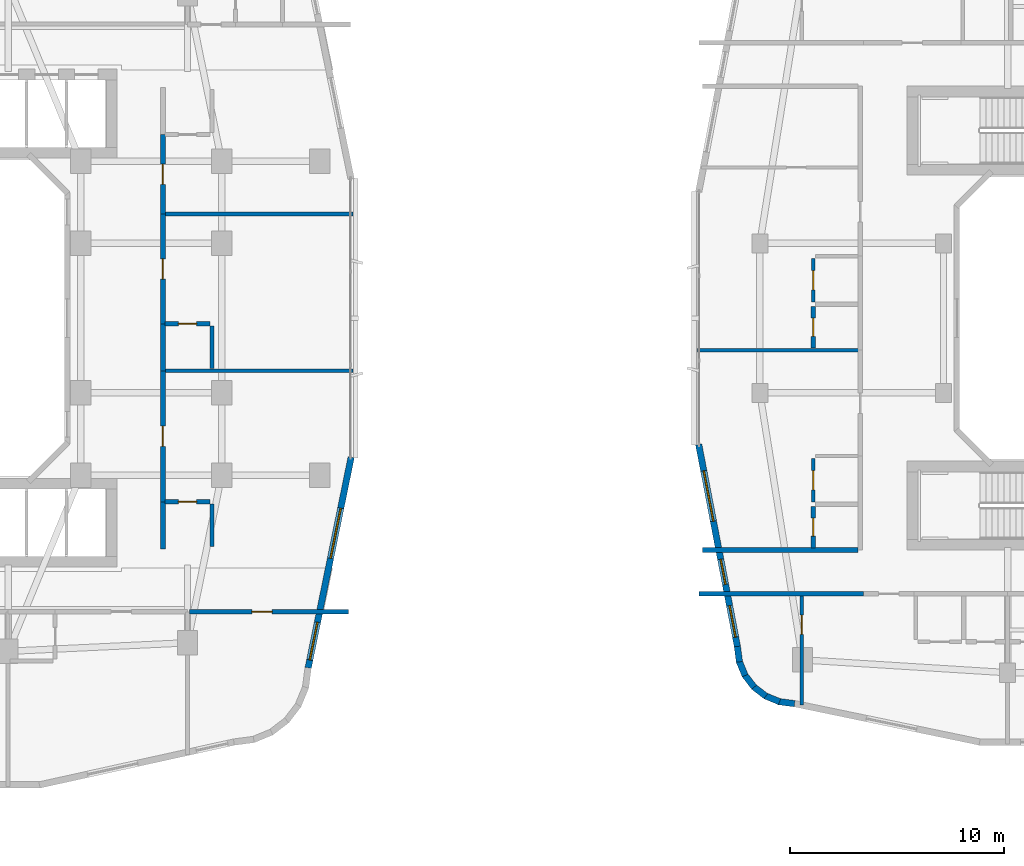
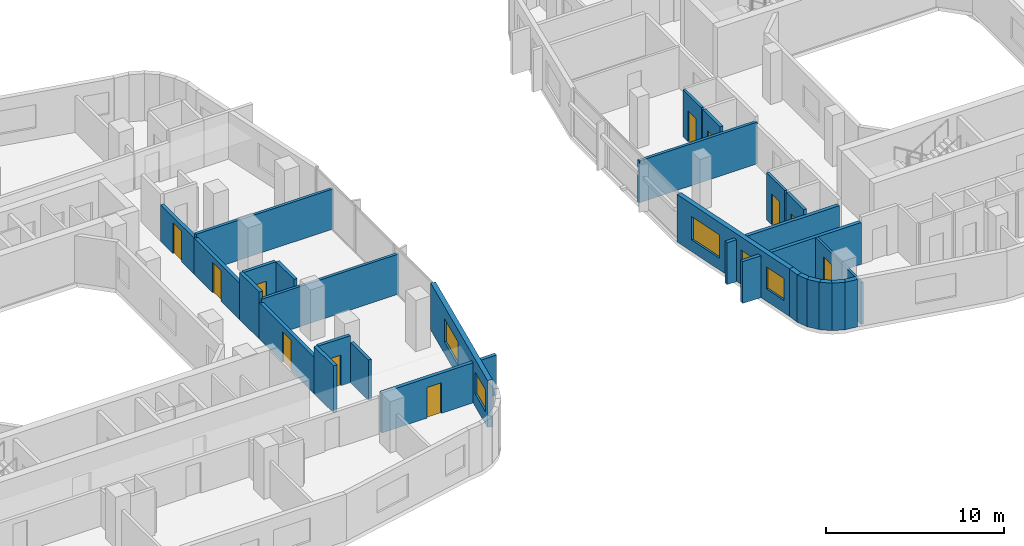
# One storey, part 10 of 22: 28 walls, 11 doors, 5 windows, 16 openings.
"""IFC4 building model written with IfcOpenShell, lengths in metres."""

from ifc_helpers import new_model, si_unit, derived_unit, direction, frame, frame_2d, origin, place, context, subcontext, project, spatial, rectangle, extrude, material, layer, layer_set, type_object, element, fill, save


model = new_model("IFC4")

# Units and contexts
model_context = context("Model", 3, precision=1e-05, world=origin(), true_north=direction((0.0, 1.0)))
body_context = subcontext(model_context, "Body", "Model", "MODEL_VIEW")
ifc_project = project(units=[si_unit("LENGTHUNIT", "METRE"), si_unit("AREAUNIT", "SQUARE_METRE"), si_unit("VOLUMEUNIT", "CUBIC_METRE"), si_unit("PLANEANGLEUNIT", "RADIAN"), si_unit("MASSUNIT", "GRAM", prefix="KILO"), derived_unit("THERMALTRANSMITTANCEUNIT", [(si_unit("POWERUNIT", "WATT"), 1), (si_unit("LENGTHUNIT", "METRE"), -2), (si_unit("THERMODYNAMICTEMPERATUREUNIT", "KELVIN"), -1)])], contexts=[model_context])

# Site, building, storey
site_placement = place(None, origin())
site = spatial("IfcSite", under=ifc_project, at=site_placement, CompositionType="ELEMENT")
building_placement = place(site_placement, origin())
building = spatial("IfcBuilding", under=site, at=building_placement, Name="Kivonza Crest Hotel", CompositionType="ELEMENT")
storey_placement = place(building_placement, frame((0.0, 0.0, 59.0)))
storey = spatial("IfcBuildingStorey", under=building, at=storey_placement, Name="L15", CompositionType="ELEMENT", Elevation=59.0)

# Walls
ifc_material_1 = material(Name="High-density acoustic masonry inter-tenancy wall", Category="masonry")
ifc_layer_1 = layer(ifc_material_1, 0.179931640625)
ifc_layer_set_1 = layer_set([ifc_layer_1], Name="High-density acoustic masonry inter-tenancy wall")
wall_type_1 = type_object("IfcWallType", Name="WL-ACOU-180", PredefinedType="SOLIDWALL", material=ifc_layer_set_1)
for number, where, z_axis, x_axis, name in (
    (1, (33.050048828125, 22.533935546875, 0.0), (0.0, 0.0, 1.0), (1.0, 0.0, 0.0), "L15 interior partition WA-L15-T1E-DIV1"),
    (2, (33.050048828125, 29.8779296875, 0.0), (0.0, 0.0, 1.0), (1.0, 0.0, 0.0), "L15 interior partition WA-L15-T1E-DIV2"),
):
    element("IfcWall", number, at=place(storey_placement, frame(where, z_axis=z_axis, x_axis=x_axis)), inside=storey, type_object=wall_type_1, Name=name, PredefinedType="SOLIDWALL", context=body_context, shape_type="SweptSolid", body=[
        extrude(rectangle(XDim=8.889892578125, YDim=0.179931640625, at=frame_2d((4.44482421875, 0.0))), origin(), (0.0, 0.0, 1.0), 2.7451171875),
    ])
wall_1_placement = place(storey_placement, frame((58.06005859375, 23.5, 0.0), z_axis=(0.0, 0.0, 1.0), x_axis=(1.0, 0.0, 0.0)))
element("IfcWall", 3, at=wall_1_placement, inside=storey, type_object=wall_type_1, Name="L15 interior partition WA-L15-T2W-DIV1", PredefinedType="SOLIDWALL", context=body_context, shape_type="SweptSolid", body=[
    extrude(rectangle(XDim=7.639892578125, YDim=0.179931640625, at=frame_2d((3.81982421875, 0.0))), origin(), (0.0, 0.0, 1.0), 2.864990234375),
])

# Wall, opening, door
ifc_material_2 = material(Name="Autoclaved aerated concrete blockwork", Category="masonry")
ifc_layer_2 = layer(ifc_material_2, 0.219970703125)
ifc_layer_set_2 = layer_set([ifc_layer_2], Name="Autoclaved aerated concrete blockwork")
wall_type_2 = type_object("IfcWallType", Name="WL-ACOU-220", PredefinedType="SOLIDWALL", material=ifc_layer_set_2)
wall_2_placement = place(storey_placement, frame((34.300048828125, 11.25, 0.0), z_axis=(0.0, 0.0, 1.0), x_axis=(1.0, 0.0, 0.0)))
wall_2 = element("IfcWall", 4, at=wall_2_placement, inside=storey, type_object=wall_type_2, Name="L15 interior partition WA-L15-BUS-MTG-N", PredefinedType="SOLIDWALL", context=body_context, shape_type="SweptSolid", body=[
    extrude(rectangle(XDim=7.43994140625, YDim=0.219970703125, at=frame_2d((3.719970703125, 0.0))), origin(), (0.0, 0.0, 1.0), 2.7451171875),
])
opening_1_placement = place(wall_2_placement, frame((2.910888671875, 0.0, 0.0)))
opening_1 = element("IfcOpeningElement", 5, at=opening_1_placement, cuts=wall_2, Name="Opening DF-60S", PredefinedType="OPENING", context=body_context, shape_type="SweptSolid", body=[
    extrude(rectangle(XDim=0.949951171875, YDim=2.10009765625, at=frame_2d((0.47509765625, 1.050048828125))), frame((0.0, 0.1201171875, 0.0), z_axis=(0.0, -1.0, 0.0), x_axis=(1.0, 0.0, 0.0)), (0.0, 0.0, 1.0), 0.239990234375),
])
ifc_material_3 = material(Name="Hardwood timber oak", Category="wood")
door_type_1 = type_object("IfcDoorType", Name="DR-FD60-950", OperationType="NOTDEFINED", PredefinedType="DOOR", material=ifc_material_3)
door_1_placement = place(opening_1_placement, frame((0.949951171875, 0.0, 0.0), z_axis=(0.0, 0.0, 1.0), x_axis=(-1.0, 0.0, 0.0)))
door_1 = element("IfcDoor", 6, at=door_1_placement, inside=storey, type_object=door_type_1, Name="L15 Executive Club Lounge door", OperationType="SINGLE_SWING_RIGHT", OverallHeight=2.10009765625, OverallWidth=0.949951171875, PredefinedType="DOOR", context=body_context, shape_type="SweptSolid", body=[
    extrude(rectangle(XDim=0.949951171875, YDim=2.10009765625, at=frame_2d((0.47509765625, 1.050048828125))), frame((0.0, 0.02490234375, 0.0), z_axis=(0.0, -1.0, 0.0), x_axis=(1.0, 0.0, 0.0)), (0.0, 0.0, 1.0), 0.050048828125),
])
fill(opening_1, door_1)

# Wall
wall_3_placement = place(storey_placement, frame((33.050048828125, 14.199951171875, 0.0), z_axis=(0.0, 0.0, 1.0), x_axis=(0.0, 1.0, 0.0)))
element("IfcWall", 7, at=wall_3_placement, inside=storey, type_object=wall_type_2, Name="L15 interior partition WA-L15-E08-BCORR", PredefinedType="SOLIDWALL", context=body_context, shape_type="SweptSolid", body=[
    extrude(rectangle(XDim=2.199951171875, YDim=0.219970703125, at=frame_2d((1.10009765625, 0.0))), origin(), (0.0, 0.0, 1.0), 3.219970703125),
])

# Wall, opening, door
wall_4_placement = place(storey_placement, frame((33.050048828125, 16.39990234375, 0.0), z_axis=(0.0, 0.0, 1.0), x_axis=(0.0, 1.0, 0.0)))
wall_4 = element("IfcWall", 8, at=wall_4_placement, inside=storey, type_object=wall_type_2, Name="L15 interior partition WA-L15-E08-MCORR", PredefinedType="SOLIDWALL", context=body_context, shape_type="SweptSolid", body=[
    extrude(rectangle(XDim=6.134033203125, YDim=0.219970703125, at=frame_2d((3.06689453125, 0.0))), origin(), (0.0, 0.0, 1.0), 2.4951171875),
])
opening_2_placement = place(wall_4_placement, frame((2.592041015625, 0.0, 0.0)))
opening_2 = element("IfcOpeningElement", 9, at=opening_2_placement, cuts=wall_4, Name="Opening DU-60", PredefinedType="OPENING", context=body_context, shape_type="SweptSolid", body=[
    extrude(rectangle(XDim=0.949951171875, YDim=2.10009765625, at=frame_2d((0.47509765625, 1.050048828125))), frame((0.0, 0.1201171875, 0.0), z_axis=(0.0, -1.0, 0.0), x_axis=(1.0, 0.0, 0.0)), (0.0, 0.0, 1.0), 0.239990234375),
])
door_type_2 = type_object("IfcDoorType", Name="DR-UNIT-950", OperationType="NOTDEFINED", PredefinedType="DOOR", material=ifc_material_3)
door_2_placement = place(opening_2_placement, frame((0.949951171875, 0.0, 0.0), z_axis=(0.0, 0.0, 1.0), x_axis=(-1.0, 0.0, 0.0)))
door_2 = element("IfcDoor", 10, at=door_2_placement, inside=storey, type_object=door_type_2, Name="L15 E08 guest unit entrance fire door", OperationType="SINGLE_SWING_RIGHT", OverallHeight=2.10009765625, OverallWidth=0.949951171875, PredefinedType="DOOR", context=body_context, shape_type="SweptSolid", body=[
    extrude(rectangle(XDim=0.949951171875, YDim=2.10009765625, at=frame_2d((0.47509765625, 1.050048828125))), frame((0.0, 0.02490234375, 0.0), z_axis=(0.0, -1.0, 0.0), x_axis=(1.0, 0.0, 0.0)), (0.0, 0.0, 1.0), 0.050048828125),
])
fill(opening_2, door_2)

# Wall
wall_5_placement = place(storey_placement, frame((33.050048828125, 22.533935546875, 0.0), z_axis=(0.0, 0.0, 1.0), x_axis=(0.0, 1.0, 0.0)))
element("IfcWall", 11, at=wall_5_placement, inside=storey, type_object=wall_type_2, Name="L15 interior partition WA-L15-E09-BCORR", PredefinedType="SOLIDWALL", context=body_context, shape_type="SweptSolid", body=[
    extrude(rectangle(XDim=2.199951171875, YDim=0.219970703125, at=frame_2d((1.10009765625, 0.0))), origin(), (0.0, 0.0, 1.0), 3.219970703125),
])

# Wall, opening, door
wall_6_placement = place(storey_placement, frame((33.050048828125, 24.73388671875, 0.0), z_axis=(0.0, 0.0, 1.0), x_axis=(0.0, 1.0, 0.0)))
wall_6 = element("IfcWall", 12, at=wall_6_placement, inside=storey, type_object=wall_type_2, Name="L15 interior partition WA-L15-E09-MCORR", PredefinedType="SOLIDWALL", context=body_context, shape_type="SweptSolid", body=[
    extrude(rectangle(XDim=5.14404296875, YDim=0.219970703125, at=frame_2d((2.572021484375, 0.0))), origin(), (0.0, 0.0, 1.0), 2.4951171875),
])
opening_3_placement = place(wall_6_placement, frame((2.096923828125, 0.0, 0.0)))
opening_3 = element("IfcOpeningElement", 13, at=opening_3_placement, cuts=wall_6, Name="Opening DU-60", PredefinedType="OPENING", context=body_context, shape_type="SweptSolid", body=[
    extrude(rectangle(XDim=0.949951171875, YDim=2.10009765625, at=frame_2d((0.47509765625, 1.050048828125))), frame((0.0, 0.1201171875, 0.0), z_axis=(0.0, -1.0, 0.0), x_axis=(1.0, 0.0, 0.0)), (0.0, 0.0, 1.0), 0.239990234375),
])
door_3_placement = place(opening_3_placement, frame((0.949951171875, 0.0, 0.0), z_axis=(0.0, 0.0, 1.0), x_axis=(-1.0, 0.0, 0.0)))
door_3 = element("IfcDoor", 14, at=door_3_placement, inside=storey, type_object=door_type_2, Name="L15 E09 guest unit entrance fire door", OperationType="SINGLE_SWING_LEFT", OverallHeight=2.10009765625, OverallWidth=0.949951171875, PredefinedType="DOOR", context=body_context, shape_type="SweptSolid", body=[
    extrude(rectangle(XDim=0.949951171875, YDim=2.10009765625, at=frame_2d((0.47509765625, 1.050048828125))), frame((0.0, 0.02490234375, 0.0), z_axis=(0.0, -1.0, 0.0), x_axis=(1.0, 0.0, 0.0)), (0.0, 0.0, 1.0), 0.050048828125),
])
fill(opening_3, door_3)

wall_7_placement = place(storey_placement, frame((33.050048828125, 29.8779296875, 0.0), z_axis=(0.0, 0.0, 1.0), x_axis=(0.0, 1.0, 0.0)))
wall_7 = element("IfcWall", 15, at=wall_7_placement, inside=storey, type_object=wall_type_2, Name="L15 interior partition WA-L15-E10-MCORR", PredefinedType="SOLIDWALL", context=body_context, shape_type="SweptSolid", body=[
    extrude(rectangle(XDim=3.72216796875, YDim=0.219970703125, at=frame_2d((1.861083984375, 0.0))), origin(), (0.0, 0.0, 1.0), 2.4951171875),
])
opening_4_placement = place(wall_7_placement, frame((1.385986328125, 0.0, 0.0)))
opening_4 = element("IfcOpeningElement", 16, at=opening_4_placement, cuts=wall_7, Name="Opening DU-60", PredefinedType="OPENING", context=body_context, shape_type="SweptSolid", body=[
    extrude(rectangle(XDim=0.949951171875, YDim=2.10009765625, at=frame_2d((0.47509765625, 1.050048828125))), frame((0.0, 0.1201171875, 0.0), z_axis=(0.0, -1.0, 0.0), x_axis=(1.0, 0.0, 0.0)), (0.0, 0.0, 1.0), 0.239990234375),
])
door_4_placement = place(opening_4_placement, frame((0.949951171875, 0.0, 0.0), z_axis=(0.0, 0.0, 1.0), x_axis=(-1.0, 0.0, 0.0)))
door_4 = element("IfcDoor", 17, at=door_4_placement, inside=storey, type_object=door_type_2, Name="L15 E10 guest unit entrance fire door", OperationType="SINGLE_SWING_RIGHT", OverallHeight=2.10009765625, OverallWidth=0.949951171875, PredefinedType="DOOR", context=body_context, shape_type="SweptSolid", body=[
    extrude(rectangle(XDim=0.949951171875, YDim=2.10009765625, at=frame_2d((0.47509765625, 1.050048828125))), frame((0.0, 0.02490234375, 0.0), z_axis=(0.0, -1.0, 0.0), x_axis=(1.0, 0.0, 0.0)), (0.0, 0.0, 1.0), 0.050048828125),
])
fill(opening_4, door_4)

# Walls
wall_8_placement = place(storey_placement, frame((58.159912109375, 12.10009765625, 0.0), z_axis=(0.0, 0.0, 1.0), x_axis=(1.0, 0.0, 0.0)))
element("IfcWall", 18, at=wall_8_placement, inside=storey, type_object=wall_type_2, Name="L15 interior partition WA-L15-A03-LCORR", PredefinedType="SOLIDWALL", context=body_context, shape_type="SweptSolid", body=[
    extrude(rectangle(XDim=7.690185546875, YDim=0.219970703125, at=frame_2d((3.84521484375, 0.0))), origin(), (0.0, 0.0, 1.0), 2.864990234375),
])
wall_9_placement = place(storey_placement, frame((58.320068359375, 14.139892578125, 0.0), z_axis=(0.0, 0.0, 1.0), x_axis=(1.0, 0.0, 0.0)))
element("IfcWall", 19, at=wall_9_placement, inside=storey, type_object=wall_type_2, Name="L15 interior partition WA-L15-T2W-ENDS", PredefinedType="SOLIDWALL", context=body_context, shape_type="SweptSolid", body=[
    extrude(rectangle(XDim=7.280029296875, YDim=0.219970703125, at=frame_2d((3.64013671875, 0.0))), origin(), (0.0, 0.0, 1.0), 2.864990234375),
])

# Wall, openings, windows
ifc_material_4 = material(Name="Precast concrete C40/50", Category="concrete")
ifc_layer_3 = layer(ifc_material_4, 0.300048828125)
ifc_layer_set_3 = layer_set([ifc_layer_3], Name="Precast concrete C40/50")
wall_type_3 = type_object("IfcWallType", Name="WL-EXT-300", PredefinedType="STANDARD", material=ifc_layer_set_3)
wall_10_placement = place(storey_placement, frame((39.85107421875, 8.6220703125, 0.0), z_axis=(0.0, 0.0, 1.0), x_axis=(0.199990901713, 0.979797754249, 0.0)))
wall_10 = element("IfcWall", 20, at=wall_10_placement, inside=storey, type_object=wall_type_3, Name="L15 T1 exterior insulated wall 16", PredefinedType="STANDARD", context=body_context, shape_type="SweptSolid", body=[
    extrude(rectangle(XDim=10.065185546875, YDim=0.300048828125, at=frame_2d((5.03271484375, 0.0))), origin(), (0.0, 0.0, 1.0), 3.219970703125),
])
opening_5_placement = place(wall_10_placement, frame((0.3779296875, 0.0, 0.85009765625)))
opening_5 = element("IfcOpeningElement", 21, at=opening_5_placement, cuts=wall_10, Name="Opening WN-03", PredefinedType="OPENING", context=body_context, shape_type="SweptSolid", body=[
    extrude(rectangle(XDim=1.800048828125, YDim=1.5, at=frame_2d((0.89990234375, 0.75))), frame((0.0, 0.16015625, 0.0), z_axis=(0.0, -1.0, 0.0), x_axis=(1.0, 0.0, 0.0)), (0.0, 0.0, 1.0), 0.320068359375),
])
opening_6_placement = place(wall_10_placement, frame((5.236083984375, 0.0, 0.800048828125)))
opening_6 = element("IfcOpeningElement", 22, at=opening_6_placement, cuts=wall_10, Name="Opening WN-05", PredefinedType="OPENING", context=body_context, shape_type="SweptSolid", body=[
    extrude(rectangle(XDim=2.39990234375, YDim=1.60009765625, at=frame_2d((1.199951171875, 0.800048828125))), frame((0.0, 0.16015625, 0.0), z_axis=(0.0, -1.0, 0.0), x_axis=(1.0, 0.0, 0.0)), (0.0, 0.0, 1.0), 0.320068359375),
])
ifc_material_5 = material(Name="Thermally broken bronze aluminium and low-E double glazing", Category="aluminium")
window_type_1 = type_object("IfcWindowType", Name="WN-180x150", PartitioningType="DOUBLE_PANEL_VERTICAL", PredefinedType="WINDOW", material=ifc_material_5)
window_1_placement = place(opening_5_placement, origin())
window_1 = element("IfcWindow", 23, at=window_1_placement, inside=storey, type_object=window_type_1, Name="L15 T1 facade window 16 bay 1", OverallHeight=1.5, OverallWidth=1.800048828125, PartitioningType="SINGLE_PANEL", PredefinedType="WINDOW", context=body_context, shape_type="SweptSolid", body=[
    extrude(rectangle(XDim=1.800048828125, YDim=1.5, at=frame_2d((0.89990234375, 0.75))), frame((0.0, 0.030029296875, 0.0), z_axis=(0.0, -1.0, 0.0), x_axis=(1.0, 0.0, 0.0)), (0.0, 0.0, 1.0), 0.06005859375),
])
fill(opening_5, window_1)
window_type_2 = type_object("IfcWindowType", Name="WN-240x160", PartitioningType="TRIPLE_PANEL_VERTICAL", PredefinedType="WINDOW", material=ifc_material_5)
window_2_placement = place(opening_6_placement, origin())
window_2 = element("IfcWindow", 24, at=window_2_placement, inside=storey, type_object=window_type_2, Name="L15 T1 facade window 16 bay 2", OverallHeight=1.60009765625, OverallWidth=2.39990234375, PartitioningType="SINGLE_PANEL", PredefinedType="WINDOW", context=body_context, shape_type="SweptSolid", body=[
    extrude(rectangle(XDim=2.39990234375, YDim=1.60009765625, at=frame_2d((1.199951171875, 0.800048828125))), frame((0.0, 0.030029296875, 0.0), z_axis=(0.0, -1.0, 0.0), x_axis=(1.0, 0.0, 0.0)), (0.0, 0.0, 1.0), 0.06005859375),
])
fill(opening_6, window_2)

# Walls
wall_11_placement = place(storey_placement, frame((59.947998046875, 9.626953125, 0.0), z_axis=(0.0, 0.0, 1.0), x_axis=(0.130255288807, -0.991480488834, 0.0)))
element("IfcWall", 25, at=wall_11_placement, inside=storey, type_object=wall_type_3, Name="L15 T2 exterior insulated wall 1", PredefinedType="STANDARD", context=body_context, shape_type="SweptSolid", body=[
    extrude(rectangle(XDim=0.72900390625, YDim=0.300048828125, at=frame_2d((0.364501953125, 0.0))), origin(), (0.0, 0.0, 1.0), 3.25),
])
for number, where, z_axis, x_axis, name in (
    (26, (60.02392578125, 8.955078125, 0.0), (0.0, 0.0, 1.0), (0.383546213491, -0.923521684703, 0.0), "L15 T2 exterior insulated wall 2"),
    (27, (60.279052734375, 8.31103515625, 0.0), (0.0, 0.0, 1.0), (0.608397189915, -0.79363269798, 0.0), "L15 T2 exterior insulated wall 3"),
    (28, (60.69091796875, 7.75390625, 0.0), (0.0, 0.0, 1.0), (0.79363269798, -0.608397189915, 0.0), "L15 T2 exterior insulated wall 4"),
    (29, (61.23388671875, 7.323974609375, 0.0), (0.0, 0.0, 1.0), (0.923685632463, -0.383151213466, 0.0), "L15 T2 exterior insulated wall 5"),
):
    element("IfcWall", number, at=place(storey_placement, frame(where, z_axis=z_axis, x_axis=x_axis)), inside=storey, type_object=wall_type_3, Name=name, PredefinedType="STANDARD", context=body_context, shape_type="SweptSolid", body=[
        extrude(rectangle(XDim=0.74609375, YDim=0.300048828125, at=frame_2d((0.373046875, 0.0))), origin(), (0.0, 0.0, 1.0), 3.25),
    ])
wall_12_placement = place(storey_placement, frame((61.868896484375, 7.047119140625, 0.0), z_axis=(0.0, 0.0, 1.0), x_axis=(0.991559404866, -0.129653178221, 0.0)))
element("IfcWall", 30, at=wall_12_placement, inside=storey, type_object=wall_type_3, Name="L15 T2 exterior insulated wall 6", PredefinedType="STANDARD", context=body_context, shape_type="SweptSolid", body=[
    extrude(rectangle(XDim=0.764404296875, YDim=0.300048828125, at=frame_2d((0.38232421875, 0.0))), origin(), (0.0, 0.0, 1.0), 3.25),
])

# Wall, openings, windows
wall_13_placement = place(storey_placement, frame((58.136962890625, 19.08203125, 0.0), z_axis=(0.0, 0.0, 1.0), x_axis=(0.188087874316, -0.982152203854, 0.0)))
wall_13 = element("IfcWall", 31, at=wall_13_placement, inside=storey, type_object=wall_type_3, Name="L15 T2 exterior insulated wall 36", PredefinedType="STANDARD", context=body_context, shape_type="SweptSolid", body=[
    extrude(rectangle(XDim=9.6337890625, YDim=0.300048828125, at=frame_2d((4.81689453125, 0.0))), origin(), (0.0, 0.0, 1.0), 3.25),
])
opening_7_placement = place(wall_13_placement, frame((1.2548828125, 0.0, 0.800048828125)))
opening_7 = element("IfcOpeningElement", 32, at=opening_7_placement, cuts=wall_13, Name="Opening WN-05", PredefinedType="OPENING", context=body_context, shape_type="SweptSolid", body=[
    extrude(rectangle(XDim=2.39990234375, YDim=1.60009765625, at=frame_2d((1.199951171875, 0.800048828125))), frame((0.0, 0.16015625, 0.0), z_axis=(0.0, -1.0, 0.0), x_axis=(1.0, 0.0, 0.0)), (0.0, 0.0, 1.0), 0.320068359375),
])
opening_8_placement = place(wall_13_placement, frame((5.469970703125, 0.0, 0.85009765625)))
opening_8 = element("IfcOpeningElement", 33, at=opening_8_placement, cuts=wall_13, Name="Opening WN-01", PredefinedType="OPENING", context=body_context, shape_type="SweptSolid", body=[
    extrude(rectangle(XDim=1.199951171875, YDim=1.5, at=frame_2d((0.60009765625, 0.75))), frame((0.0, 0.16015625, 0.0), z_axis=(0.0, -1.0, 0.0), x_axis=(1.0, 0.0, 0.0)), (0.0, 0.0, 1.0), 0.320068359375),
])
opening_9_placement = place(wall_13_placement, frame((7.681884765625, 0.0, 0.85009765625)))
opening_9 = element("IfcOpeningElement", 34, at=opening_9_placement, cuts=wall_13, Name="Opening WN-02", PredefinedType="OPENING", context=body_context, shape_type="SweptSolid", body=[
    extrude(rectangle(XDim=1.5, YDim=1.5, at=frame_2d((0.75, 0.75))), frame((0.0, 0.16015625, 0.0), z_axis=(0.0, -1.0, 0.0), x_axis=(1.0, 0.0, 0.0)), (0.0, 0.0, 1.0), 0.320068359375),
])
window_type_3 = type_object("IfcWindowType", Name="WN-120x150", PartitioningType="SINGLE_PANEL", PredefinedType="WINDOW", material=ifc_material_5)
window_3_placement = place(opening_8_placement, origin())
window_3 = element("IfcWindow", 35, at=window_3_placement, inside=storey, type_object=window_type_3, Name="L15 T2 facade window 36 bay 2", OverallHeight=1.5, OverallWidth=1.199951171875, PartitioningType="SINGLE_PANEL", PredefinedType="WINDOW", context=body_context, shape_type="SweptSolid", body=[
    extrude(rectangle(XDim=1.199951171875, YDim=1.5, at=frame_2d((0.60009765625, 0.75))), frame((0.0, 0.030029296875, 0.0), z_axis=(0.0, -1.0, 0.0), x_axis=(1.0, 0.0, 0.0)), (0.0, 0.0, 1.0), 0.06005859375),
])
fill(opening_8, window_3)
window_type_4 = type_object("IfcWindowType", Name="WN-150x150", PartitioningType="DOUBLE_PANEL_VERTICAL", PredefinedType="WINDOW", material=ifc_material_5)
window_4_placement = place(opening_9_placement, origin())
window_4 = element("IfcWindow", 36, at=window_4_placement, inside=storey, type_object=window_type_4, Name="L15 T2 facade window 36 bay 3", OverallHeight=1.5, OverallWidth=1.5, PartitioningType="SINGLE_PANEL", PredefinedType="WINDOW", context=body_context, shape_type="SweptSolid", body=[
    extrude(rectangle(XDim=1.5, YDim=1.5, at=frame_2d((0.75, 0.75))), frame((0.0, 0.030029296875, 0.0), z_axis=(0.0, -1.0, 0.0), x_axis=(1.0, 0.0, 0.0)), (0.0, 0.0, 1.0), 0.06005859375),
])
fill(opening_9, window_4)
window_5_placement = place(opening_7_placement, origin())
window_5 = element("IfcWindow", 37, at=window_5_placement, inside=storey, type_object=window_type_2, Name="L15 T2 facade window 36 bay 1", OverallHeight=1.60009765625, OverallWidth=2.39990234375, PartitioningType="SINGLE_PANEL", PredefinedType="WINDOW", context=body_context, shape_type="SweptSolid", body=[
    extrude(rectangle(XDim=2.39990234375, YDim=1.60009765625, at=frame_2d((1.199951171875, 0.800048828125))), frame((0.0, 0.030029296875, 0.0), z_axis=(0.0, -1.0, 0.0), x_axis=(1.0, 0.0, 0.0)), (0.0, 0.0, 1.0), 0.06005859375),
])
fill(opening_7, window_5)

# Wall, opening, door
ifc_material_6 = material(Name="Twin-stud acoustic gypsum board partition", Category="gypsum")
ifc_layer_4 = layer(ifc_material_6, 0.14990234375)
ifc_layer_set_4 = layer_set([ifc_layer_4], Name="Twin-stud acoustic gypsum board partition")
wall_type_4 = type_object("IfcWallType", Name="WL-PART-150", PredefinedType="PARTITIONING", material=ifc_layer_set_4)
wall_14_placement = place(storey_placement, frame((62.9599609375, 6.886962890625, 0.0), z_axis=(0.0, 0.0, 1.0), x_axis=(0.0, 1.0, 0.0)))
wall_14 = element("IfcWall", 38, at=wall_14_placement, inside=storey, type_object=wall_type_4, Name="L15 interior partition WP-L15-A03-BDW1", PredefinedType="PARTITIONING", context=body_context, shape_type="SweptSolid", body=[
    extrude(rectangle(XDim=5.113037109375, YDim=0.14990234375, at=frame_2d((2.556640625, 0.0))), origin(), (0.0, 0.0, 1.0), 2.864990234375),
])
opening_10_placement = place(wall_14_placement, frame((3.31005859375, 0.0, 0.0)))
opening_10 = element("IfcOpeningElement", 39, at=opening_10_placement, cuts=wall_14, Name="Opening DI-90", PredefinedType="OPENING", context=body_context, shape_type="SweptSolid", body=[
    extrude(rectangle(XDim=0.89990234375, YDim=2.10009765625, at=frame_2d((0.449951171875, 1.050048828125))), frame((0.0, 0.0849609375, 0.0), z_axis=(0.0, -1.0, 0.0), x_axis=(1.0, 0.0, 0.0)), (0.0, 0.0, 1.0), 0.169921875),
])
door_type_3 = type_object("IfcDoorType", Name="DR-INT-900", OperationType="NOTDEFINED", PredefinedType="DOOR", material=ifc_material_3)
door_5_placement = place(opening_10_placement, origin())
door_5 = element("IfcDoor", 40, at=door_5_placement, inside=storey, type_object=door_type_3, Name="L15 A03 bedroom 1 door", OperationType="SINGLE_SWING_RIGHT", OverallHeight=2.10009765625, OverallWidth=0.89990234375, PredefinedType="DOOR", context=body_context, shape_type="SweptSolid", body=[
    extrude(rectangle(XDim=0.89990234375, YDim=2.10009765625, at=frame_2d((0.449951171875, 1.050048828125))), frame((0.0, 0.02490234375, 0.0), z_axis=(0.0, -1.0, 0.0), x_axis=(1.0, 0.0, 0.0)), (0.0, 0.0, 1.0), 0.050048828125),
])
fill(opening_10, door_5)

wall_15_placement = place(storey_placement, frame((63.5, 16.389892578125, 0.0), z_axis=(0.0, 0.0, 1.0), x_axis=(0.0, 1.0, 0.0)))
wall_15 = element("IfcWall", 41, at=wall_15_placement, inside=storey, type_object=wall_type_4, Name="L15 interior partition WP-L15-A06-KSVC", PredefinedType="PARTITIONING", context=body_context, shape_type="SweptSolid", body=[
    extrude(rectangle(XDim=2.050048828125, YDim=0.14990234375, at=frame_2d((1.02490234375, 0.0))), origin(), (0.0, 0.0, 1.0), 3.219970703125),
])
opening_11_placement = place(wall_15_placement, frame((0.574951171875, 0.0, 0.0)))
opening_11 = element("IfcOpeningElement", 42, at=opening_11_placement, cuts=wall_15, Name="Opening DI-90", PredefinedType="OPENING", context=body_context, shape_type="SweptSolid", body=[
    extrude(rectangle(XDim=0.89990234375, YDim=2.10009765625, at=frame_2d((0.449951171875, 1.050048828125))), frame((0.0, 0.0849609375, 0.0), z_axis=(0.0, -1.0, 0.0), x_axis=(1.0, 0.0, 0.0)), (0.0, 0.0, 1.0), 0.169921875),
])
door_6_placement = place(opening_11_placement, origin())
door_6 = element("IfcDoor", 43, at=door_6_placement, inside=storey, type_object=door_type_3, Name="L15 A06 apartment kitchen door", OperationType="SINGLE_SWING_RIGHT", OverallHeight=2.10009765625, OverallWidth=0.89990234375, PredefinedType="DOOR", context=body_context, shape_type="SweptSolid", body=[
    extrude(rectangle(XDim=0.89990234375, YDim=2.10009765625, at=frame_2d((0.449951171875, 1.050048828125))), frame((0.0, 0.02490234375, 0.0), z_axis=(0.0, -1.0, 0.0), x_axis=(1.0, 0.0, 0.0)), (0.0, 0.0, 1.0), 0.050048828125),
])
fill(opening_11, door_6)

wall_16_placement = place(storey_placement, frame((63.5, 25.75, 0.0), z_axis=(0.0, 0.0, 1.0), x_axis=(0.0, 1.0, 0.0)))
wall_16 = element("IfcWall", 44, at=wall_16_placement, inside=storey, type_object=wall_type_4, Name="L15 interior partition WP-L15-A07-KSVC", PredefinedType="PARTITIONING", context=body_context, shape_type="SweptSolid", body=[
    extrude(rectangle(XDim=2.050048828125, YDim=0.14990234375, at=frame_2d((1.02490234375, 0.0))), origin(), (0.0, 0.0, 1.0), 3.219970703125),
])
opening_12_placement = place(wall_16_placement, frame((0.574951171875, 0.0, 0.0)))
opening_12 = element("IfcOpeningElement", 45, at=opening_12_placement, cuts=wall_16, Name="Opening DI-90", PredefinedType="OPENING", context=body_context, shape_type="SweptSolid", body=[
    extrude(rectangle(XDim=0.89990234375, YDim=2.10009765625, at=frame_2d((0.449951171875, 1.050048828125))), frame((0.0, 0.0849609375, 0.0), z_axis=(0.0, -1.0, 0.0), x_axis=(1.0, 0.0, 0.0)), (0.0, 0.0, 1.0), 0.169921875),
])
door_7_placement = place(opening_12_placement, origin())
door_7 = element("IfcDoor", 46, at=door_7_placement, inside=storey, type_object=door_type_3, Name="L15 A07 apartment kitchen door", OperationType="SINGLE_SWING_LEFT", OverallHeight=2.10009765625, OverallWidth=0.89990234375, PredefinedType="DOOR", context=body_context, shape_type="SweptSolid", body=[
    extrude(rectangle(XDim=0.89990234375, YDim=2.10009765625, at=frame_2d((0.449951171875, 1.050048828125))), frame((0.0, 0.02490234375, 0.0), z_axis=(0.0, -1.0, 0.0), x_axis=(1.0, 0.0, 0.0)), (0.0, 0.0, 1.0), 0.050048828125),
])
fill(opening_12, door_7)

ifc_material_7 = material(Name="Moisture-resistant plumbing chase partition wall", Category="gypsum")
ifc_layer_5 = layer(ifc_material_7, 0.199951171875)
ifc_layer_set_5 = layer_set([ifc_layer_5], Name="Moisture-resistant plumbing chase partition wall")
wall_type_5 = type_object("IfcWallType", Name="WL-PLUMB-200", PredefinedType="PLUMBINGWALL", material=ifc_layer_set_5)
wall_17_placement = place(storey_placement, frame((33.14990234375, 16.39990234375, 0.0), z_axis=(0.0, 0.0, 1.0), x_axis=(1.0, 0.0, 0.0)))
wall_17 = element("IfcWall", 47, at=wall_17_placement, inside=storey, type_object=wall_type_5, Name="L15 interior partition WW-L15-E08-BH", PredefinedType="PLUMBINGWALL", context=body_context, shape_type="SweptSolid", body=[
    extrude(rectangle(XDim=2.10009765625, YDim=0.199951171875, at=frame_2d((1.050048828125, 0.0))), origin(), (0.0, 0.0, 1.0), 3.219970703125),
])
opening_13_placement = place(wall_17_placement, frame((0.625, 0.0, 0.0)))
opening_13 = element("IfcOpeningElement", 48, at=opening_13_placement, cuts=wall_17, Name="Opening DI-85", PredefinedType="OPENING", context=body_context, shape_type="SweptSolid", body=[
    extrude(rectangle(XDim=0.85009765625, YDim=2.10009765625, at=frame_2d((0.425048828125, 1.050048828125))), frame((0.0, 0.10986328125, 0.0), z_axis=(0.0, -1.0, 0.0), x_axis=(1.0, 0.0, 0.0)), (0.0, 0.0, 1.0), 0.219970703125),
])
door_type_4 = type_object("IfcDoorType", Name="DR-INT-850", OperationType="NOTDEFINED", PredefinedType="DOOR", material=ifc_material_3)
door_8_placement = place(opening_13_placement, origin())
door_8 = element("IfcDoor", 49, at=door_8_placement, inside=storey, type_object=door_type_4, Name="L15 E08 en-suite bathroom door", OperationType="SINGLE_SWING_LEFT", OverallHeight=2.10009765625, OverallWidth=0.85009765625, PredefinedType="DOOR", context=body_context, shape_type="SweptSolid", body=[
    extrude(rectangle(XDim=0.85009765625, YDim=2.10009765625, at=frame_2d((0.425048828125, 1.050048828125))), frame((0.0, 0.02490234375, 0.0), z_axis=(0.0, -1.0, 0.0), x_axis=(1.0, 0.0, 0.0)), (0.0, 0.0, 1.0), 0.050048828125),
])
fill(opening_13, door_8)

# Wall
wall_18_placement = place(storey_placement, frame((35.35009765625, 14.300048828125, 0.0), z_axis=(0.0, 0.0, 1.0), x_axis=(0.0, 1.0, 0.0)))
element("IfcWall", 50, at=wall_18_placement, inside=storey, type_object=wall_type_5, Name="L15 interior partition WW-L15-E08-BV", PredefinedType="PLUMBINGWALL", context=body_context, shape_type="SweptSolid", body=[
    extrude(rectangle(XDim=2.0, YDim=0.199951171875, at=frame_2d((1.0, 0.0))), origin(), (0.0, 0.0, 1.0), 2.7451171875),
])

# Wall, opening, door
wall_19_placement = place(storey_placement, frame((33.14990234375, 24.73388671875, 0.0), z_axis=(0.0, 0.0, 1.0), x_axis=(1.0, 0.0, 0.0)))
wall_19 = element("IfcWall", 51, at=wall_19_placement, inside=storey, type_object=wall_type_5, Name="L15 interior partition WW-L15-E09-BH", PredefinedType="PLUMBINGWALL", context=body_context, shape_type="SweptSolid", body=[
    extrude(rectangle(XDim=2.10009765625, YDim=0.199951171875, at=frame_2d((1.050048828125, 0.0))), origin(), (0.0, 0.0, 1.0), 3.219970703125),
])
opening_14_placement = place(wall_19_placement, frame((0.625, 0.0, 0.0)))
opening_14 = element("IfcOpeningElement", 52, at=opening_14_placement, cuts=wall_19, Name="Opening DI-85", PredefinedType="OPENING", context=body_context, shape_type="SweptSolid", body=[
    extrude(rectangle(XDim=0.85009765625, YDim=2.10009765625, at=frame_2d((0.425048828125, 1.050048828125))), frame((0.0, 0.10986328125, 0.0), z_axis=(0.0, -1.0, 0.0), x_axis=(1.0, 0.0, 0.0)), (0.0, 0.0, 1.0), 0.219970703125),
])
door_9_placement = place(opening_14_placement, origin())
door_9 = element("IfcDoor", 53, at=door_9_placement, inside=storey, type_object=door_type_4, Name="L15 E09 en-suite bathroom door", OperationType="SINGLE_SWING_RIGHT", OverallHeight=2.10009765625, OverallWidth=0.85009765625, PredefinedType="DOOR", context=body_context, shape_type="SweptSolid", body=[
    extrude(rectangle(XDim=0.85009765625, YDim=2.10009765625, at=frame_2d((0.425048828125, 1.050048828125))), frame((0.0, 0.02490234375, 0.0), z_axis=(0.0, -1.0, 0.0), x_axis=(1.0, 0.0, 0.0)), (0.0, 0.0, 1.0), 0.050048828125),
])
fill(opening_14, door_9)

# Wall
wall_20_placement = place(storey_placement, frame((35.35009765625, 22.634033203125, 0.0), z_axis=(0.0, 0.0, 1.0), x_axis=(0.0, 1.0, 0.0)))
element("IfcWall", 54, at=wall_20_placement, inside=storey, type_object=wall_type_5, Name="L15 interior partition WW-L15-E09-BV", PredefinedType="PLUMBINGWALL", context=body_context, shape_type="SweptSolid", body=[
    extrude(rectangle(XDim=2.0, YDim=0.199951171875, at=frame_2d((1.0, 0.0))), origin(), (0.0, 0.0, 1.0), 3.219970703125),
])

# Wall, opening, door
wall_21_placement = place(storey_placement, frame((63.5, 14.239990234375, 0.0), z_axis=(0.0, 0.0, 1.0), x_axis=(0.0, 1.0, 0.0)))
wall_21 = element("IfcWall", 55, at=wall_21_placement, inside=storey, type_object=wall_type_5, Name="L15 interior partition WW-L15-A06-BSVC", PredefinedType="PLUMBINGWALL", context=body_context, shape_type="SweptSolid", body=[
    extrude(rectangle(XDim=1.949951171875, YDim=0.199951171875, at=frame_2d((0.97509765625, 0.0))), origin(), (0.0, 0.0, 1.0), 3.219970703125),
])
opening_15_placement = place(wall_21_placement, frame((0.550048828125, 0.0, 0.0)))
opening_15 = element("IfcOpeningElement", 56, at=opening_15_placement, cuts=wall_21, Name="Opening DI-85", PredefinedType="OPENING", context=body_context, shape_type="SweptSolid", body=[
    extrude(rectangle(XDim=0.85009765625, YDim=2.10009765625, at=frame_2d((0.425048828125, 1.050048828125))), frame((0.0, 0.10986328125, 0.0), z_axis=(0.0, -1.0, 0.0), x_axis=(1.0, 0.0, 0.0)), (0.0, 0.0, 1.0), 0.219970703125),
])
door_10_placement = place(opening_15_placement, origin())
door_10 = element("IfcDoor", 57, at=door_10_placement, inside=storey, type_object=door_type_4, Name="L15 A06 apartment bathroom door", OperationType="SINGLE_SWING_LEFT", OverallHeight=2.10009765625, OverallWidth=0.85009765625, PredefinedType="DOOR", context=body_context, shape_type="SweptSolid", body=[
    extrude(rectangle(XDim=0.85009765625, YDim=2.10009765625, at=frame_2d((0.425048828125, 1.050048828125))), frame((0.0, 0.02490234375, 0.0), z_axis=(0.0, -1.0, 0.0), x_axis=(1.0, 0.0, 0.0)), (0.0, 0.0, 1.0), 0.050048828125),
])
fill(opening_15, door_10)

wall_22_placement = place(storey_placement, frame((63.5, 23.60009765625, 0.0), z_axis=(0.0, 0.0, 1.0), x_axis=(0.0, 1.0, 0.0)))
wall_22 = element("IfcWall", 58, at=wall_22_placement, inside=storey, type_object=wall_type_5, Name="L15 interior partition WW-L15-A07-BSVC", PredefinedType="PLUMBINGWALL", context=body_context, shape_type="SweptSolid", body=[
    extrude(rectangle(XDim=1.949951171875, YDim=0.199951171875, at=frame_2d((0.97509765625, 0.0))), origin(), (0.0, 0.0, 1.0), 3.219970703125),
])
opening_16_placement = place(wall_22_placement, frame((0.550048828125, 0.0, 0.0)))
opening_16 = element("IfcOpeningElement", 59, at=opening_16_placement, cuts=wall_22, Name="Opening DI-85", PredefinedType="OPENING", context=body_context, shape_type="SweptSolid", body=[
    extrude(rectangle(XDim=0.85009765625, YDim=2.10009765625, at=frame_2d((0.425048828125, 1.050048828125))), frame((0.0, 0.10986328125, 0.0), z_axis=(0.0, -1.0, 0.0), x_axis=(1.0, 0.0, 0.0)), (0.0, 0.0, 1.0), 0.219970703125),
])
door_11_placement = place(opening_16_placement, origin())
door_11 = element("IfcDoor", 60, at=door_11_placement, inside=storey, type_object=door_type_4, Name="L15 A07 apartment bathroom door", OperationType="SINGLE_SWING_RIGHT", OverallHeight=2.10009765625, OverallWidth=0.85009765625, PredefinedType="DOOR", context=body_context, shape_type="SweptSolid", body=[
    extrude(rectangle(XDim=0.85009765625, YDim=2.10009765625, at=frame_2d((0.425048828125, 1.050048828125))), frame((0.0, 0.02490234375, 0.0), z_axis=(0.0, -1.0, 0.0), x_axis=(1.0, 0.0, 0.0)), (0.0, 0.0, 1.0), 0.050048828125),
])
fill(opening_16, door_11)

save(model, "model.ifc")
